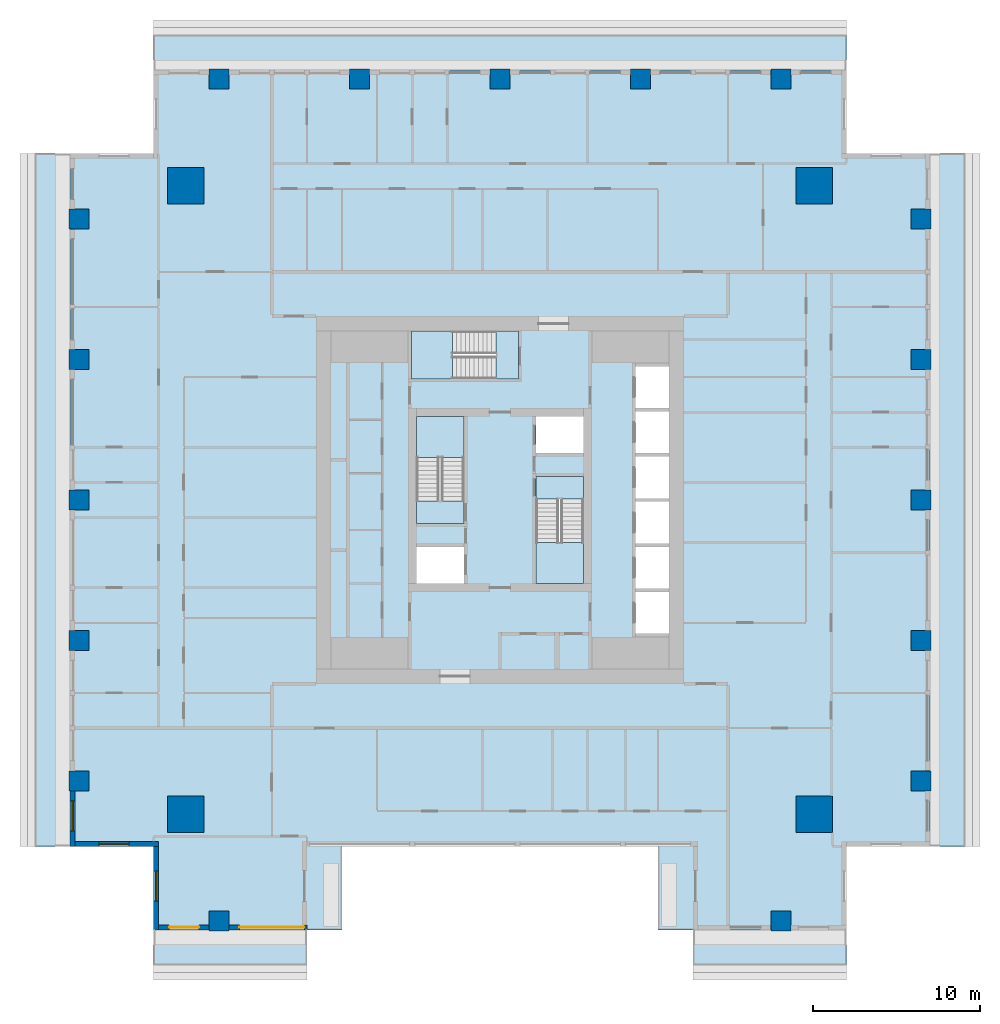
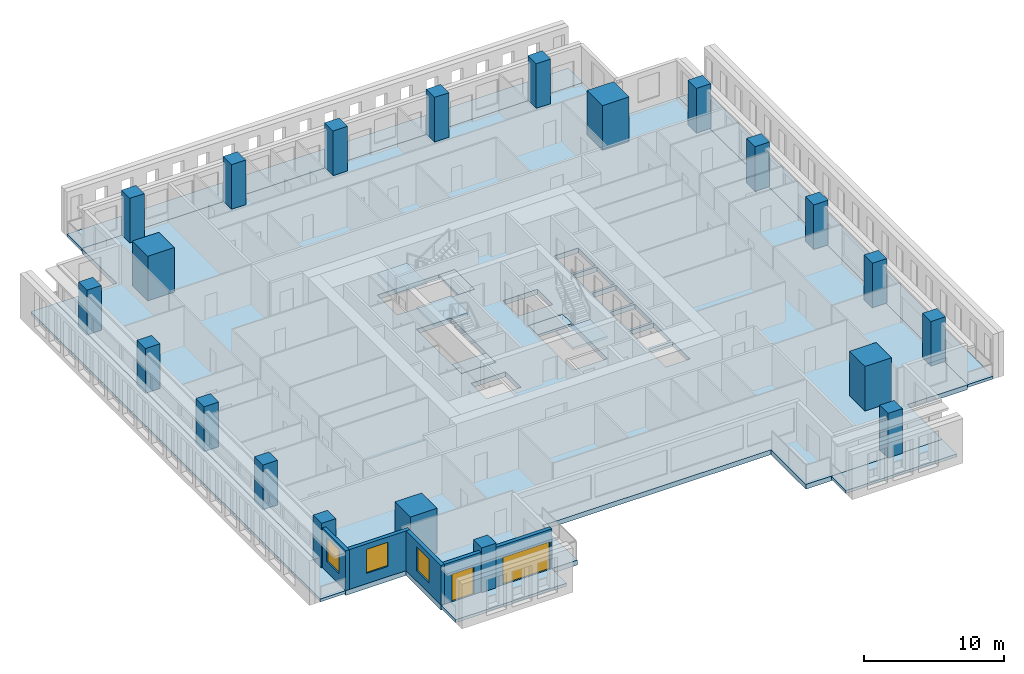
# One storey, part 1 of 14: 21 columns, 12 slabs, 5 walls, 3 windows, 2 doors, 5 openings, 3 elements without a shape of their own.
"""IFC4 building model written with IfcOpenShell, lengths in metres."""

from ifc_helpers import new_model, si_unit, direction, frame, frame_2d, origin, origin_2d, place, context, subcontext, project, spatial, polyline, rectangle, outline, extrude, material, layer, layer_set, material_profile, profile_set, type_object, element, fill, aggregate, save


model = new_model("IFC4")

# Units and contexts
model_context = context("Model", 3, precision=1e-05, world=origin(), true_north=direction((0.0, 1.0)))
body_context = subcontext(model_context, "Body", "Model", "MODEL_VIEW")
ifc_project = project(units=[si_unit("LENGTHUNIT", "METRE"), si_unit("AREAUNIT", "SQUARE_METRE"), si_unit("VOLUMEUNIT", "CUBIC_METRE"), si_unit("PLANEANGLEUNIT", "RADIAN"), si_unit("MASSUNIT", "GRAM", prefix="KILO")], contexts=[model_context])

# Site, building, storey
site_placement = place(None, origin())
site = spatial("IfcSite", under=ifc_project, at=site_placement, CompositionType="ELEMENT")
building_placement = place(site_placement, origin())
building = spatial("IfcBuilding", under=site, at=building_placement, Name="Khepri Terraces", CompositionType="ELEMENT")
storey_placement = place(building_placement, frame((0.0, 0.0, 271.800048828125)))
storey = spatial("IfcBuildingStorey", under=building, at=storey_placement, Name="L65", CompositionType="ELEMENT", Elevation=271.800048828125)

# Columns
ifc_material_1 = material(Name="Concrete C40/50", Category="concrete")
ifc_material_profile_1 = material_profile(ifc_material_1, rectangle(XDim=2.199951171875, YDim=2.199951171875, at=origin_2d()), Name="Concrete C40/50", Category="concrete")
ifc_profile_set_1 = profile_set([ifc_material_profile_1], Name="Concrete C40/50")
column_type_1 = type_object("IfcColumnType", Name="Mega column RC 2200x2200 C40/50", PredefinedType="COLUMN", material=ifc_profile_set_1)
for number, where, z_axis, x_axis, name in (
    (1, (18.800048828125, 18.800048828125, 0.0), (0.0, 0.0, 1.0), (1.0, 0.0, 0.0), "Mega column MEN L65"),
    (2, (18.800048828125, -18.800048828125, 0.0), (0.0, 0.0, 1.0), (1.0, 0.0, 0.0), "Mega column MES L65"),
    (3, (-18.800048828125, 18.800048828125, 0.0), (0.0, 0.0, 1.0), (1.0, 0.0, 0.0), "Mega column MWN L65"),
    (4, (-18.800048828125, -18.800048828125, 0.0), (0.0, 0.0, 1.0), (1.0, 0.0, 0.0), "Mega column MWS L65"),
):
    element("IfcColumn", number, at=place(storey_placement, frame(where, z_axis=z_axis, x_axis=x_axis)), inside=storey, type_object=column_type_1, Name=name, PredefinedType="COLUMN", context=body_context, shape_type="SweptSolid", body=[
        extrude(rectangle(XDim=2.199951171875, YDim=2.199951171875, at=origin_2d()), origin(), (0.0, 0.0, 1.0), 3.89990234375),
    ])
ifc_material_profile_2 = material_profile(ifc_material_1, rectangle(XDim=1.199951171875, YDim=1.199951171875, at=origin_2d()), Name="Concrete C40/50", Category="concrete")
ifc_profile_set_2 = profile_set([ifc_material_profile_2], Name="Concrete C40/50")
column_type_2 = type_object("IfcColumnType", Name="Tower column RC 1200x1200 C40/50", PredefinedType="COLUMN", material=ifc_profile_set_2)
for number, where, z_axis, x_axis, name in (
    (5, (25.199951171875, 0.0, 0.0), (0.0, 0.0, 1.0), (1.0, 0.0, 0.0), "Perimeter column PE+000b L65"),
    (6, (25.199951171875, 8.39990234375, 0.0), (0.0, 0.0, 1.0), (1.0, 0.0, 0.0), "Perimeter column PE+084b L65"),
    (7, (25.199951171875, 16.800048828125, 0.0), (0.0, 0.0, 1.0), (1.0, 0.0, 0.0), "Perimeter column PE+168a L65"),
    (8, (25.199951171875, -8.39990234375, 0.0), (0.0, 0.0, 1.0), (1.0, 0.0, 0.0), "Perimeter column PE-084b L65"),
    (9, (25.199951171875, -16.800048828125, 0.0), (0.0, 0.0, 1.0), (1.0, 0.0, 0.0), "Perimeter column PE-168a L65"),
    (10, (0.0, 25.199951171875, 0.0), (0.0, 0.0, 1.0), (1.0, 0.0, 0.0), "Perimeter column PN+000b L65"),
    (11, (-8.39990234375, 25.199951171875, 0.0), (0.0, 0.0, 1.0), (1.0, 0.0, 0.0), "Perimeter column PN+084b L65"),
    (12, (-16.800048828125, 25.199951171875, 0.0), (0.0, 0.0, 1.0), (1.0, 0.0, 0.0), "Perimeter column PN+168a L65"),
    (13, (8.39990234375, 25.199951171875, 0.0), (0.0, 0.0, 1.0), (1.0, 0.0, 0.0), "Perimeter column PN-084b L65"),
    (14, (16.800048828125, 25.199951171875, 0.0), (0.0, 0.0, 1.0), (1.0, 0.0, 0.0), "Perimeter column PN-168a L65"),
    (15, (16.800048828125, -25.199951171875, 0.0), (0.0, 0.0, 1.0), (1.0, 0.0, 0.0), "Perimeter column PS+168a L65"),
    (16, (-16.800048828125, -25.199951171875, 0.0), (0.0, 0.0, 1.0), (1.0, 0.0, 0.0), "Perimeter column PS-168a L65"),
    (17, (-25.199951171875, 0.0, 0.0), (0.0, 0.0, 1.0), (1.0, 0.0, 0.0), "Perimeter column PW+000b L65"),
    (18, (-25.199951171875, -8.39990234375, 0.0), (0.0, 0.0, 1.0), (1.0, 0.0, 0.0), "Perimeter column PW+084b L65"),
    (19, (-25.199951171875, -16.800048828125, 0.0), (0.0, 0.0, 1.0), (1.0, 0.0, 0.0), "Perimeter column PW+168a L65"),
    (20, (-25.199951171875, 8.39990234375, 0.0), (0.0, 0.0, 1.0), (1.0, 0.0, 0.0), "Perimeter column PW-084b L65"),
    (21, (-25.199951171875, 16.800048828125, 0.0), (0.0, 0.0, 1.0), (1.0, 0.0, 0.0), "Perimeter column PW-168a L65"),
):
    element("IfcColumn", number, at=place(storey_placement, frame(where, z_axis=z_axis, x_axis=x_axis)), inside=storey, type_object=column_type_2, Name=name, PredefinedType="COLUMN", context=body_context, shape_type="SweptSolid", body=[
        extrude(rectangle(XDim=1.199951171875, YDim=1.199951171875, at=origin_2d()), origin(), (0.0, 0.0, 1.0), 3.89990234375),
    ])

# Slabs
ifc_layer_1 = layer(ifc_material_1, 0.419921875, Name="Concrete C40/50", Category="concrete")
ifc_layer_set_1 = layer_set([ifc_layer_1], Name="Concrete C40/50")
slab_type_1 = type_object("IfcSlabType", Name="Flat plate 420", PredefinedType="FLOOR", material=ifc_layer_set_1)
slab_1_placement = place(storey_placement, frame((0.0, 0.0, -0.420166015625)))
element("IfcSlab", 22, at=slab_1_placement, inside=storey, type_object=slab_type_1, Name="Floor slab F01 L65", PredefinedType="FLOOR", context=body_context, shape_type="SweptSolid", body=[
    extrude(outline(polyline([(25.719970703125, -20.719970703125), (20.719970703125, -20.719970703125), (20.719970703125, -25.719970703125), (11.550048828125, -25.719970703125), (9.449951171875, -25.719970703125), (9.449951171875, -20.719970703125), (-9.449951171875, -20.719970703125), (-9.449951171875, -25.719970703125), (-11.550048828125, -25.719970703125), (-20.719970703125, -25.719970703125), (-20.719970703125, -20.719970703125), (-25.719970703125, -20.719970703125), (-25.719970703125, 20.719970703125), (-20.719970703125, 20.719970703125), (-20.719970703125, 25.719970703125), (20.719970703125, 25.719970703125), (20.719970703125, 20.719970703125), (25.719970703125, 20.719970703125), (25.719970703125, -20.719970703125)]), holes=[polyline([(2.14990234375, 2.800048828125), (5.0, 2.800048828125), (5.0, 5.0), (2.14990234375, 5.0), (2.14990234375, 2.800048828125)]), polyline([(-5.0, -2.800048828125), (-5.0, -5.0), (-2.14990234375, -5.0), (-2.14990234375, -2.800048828125), (-5.0, -2.800048828125)]), polyline([(10.10009765625, -5.5), (8.10009765625, -5.5), (8.10009765625, -8.0), (10.10009765625, -8.0), (10.10009765625, -5.5)]), polyline([(10.10009765625, -5.300048828125), (10.10009765625, -2.800048828125), (8.10009765625, -2.800048828125), (8.10009765625, -5.300048828125), (10.10009765625, -5.300048828125)]), polyline([(8.10009765625, -2.60009765625), (10.10009765625, -2.60009765625), (10.10009765625, -0.10009765625), (8.10009765625, -0.10009765625), (8.10009765625, -2.60009765625)]), polyline([(8.10009765625, 2.60009765625), (8.10009765625, 0.10009765625), (10.10009765625, 0.10009765625), (10.10009765625, 2.60009765625), (8.10009765625, 2.60009765625)]), polyline([(10.10009765625, 5.300048828125), (8.10009765625, 5.300048828125), (8.10009765625, 2.800048828125), (10.10009765625, 2.800048828125), (10.10009765625, 5.300048828125)]), polyline([(10.10009765625, 5.5), (10.10009765625, 8.0), (8.10009765625, 8.0), (8.10009765625, 5.5), (10.10009765625, 5.5)]), polyline([(-5.0, -1.39990234375), (-2.14990234375, -1.39990234375), (-2.14990234375, 5.0), (-5.0, 5.0), (-5.0, -1.39990234375)]), polyline([(5.0, -5.0), (5.0, 1.39990234375), (2.14990234375, 1.39990234375), (2.14990234375, -5.0), (5.0, -5.0)]), polyline([(-5.300048828125, 10.10009765625), (-5.300048828125, 7.25), (1.10009765625, 7.25), (1.10009765625, 10.10009765625), (-5.300048828125, 10.10009765625)])]), origin(), (0.0, 0.0, 1.0), 0.420166015625),
])
ifc_material_2 = material(Name="Precast concrete C50/60 warm stone", Category="masonry")
ifc_layer_2 = layer(ifc_material_2, 0.25, Name="Precast concrete C50/60 warm stone", Category="masonry")
ifc_layer_set_2 = layer_set([ifc_layer_2], Name="Precast concrete C50/60 warm stone")
slab_type_2 = type_object("IfcSlabType", Name="SLB-BALCONY-250", PredefinedType="FLOOR", material=ifc_layer_set_2)
slab_2_placement = place(storey_placement, frame((0.0, 0.0, -0.25)))
element("IfcSlab", 23, at=slab_2_placement, inside=storey, type_object=slab_type_2, Name="Balcony slab L65 S", PredefinedType="FLOOR", context=body_context, shape_type="SweptSolid", body=[
    extrude(outline(polyline([(-17.39990234375, -25.719970703125), (-20.719970703125, -25.719970703125), (-20.719970703125, -27.820068359375), (-11.550048828125, -27.820068359375), (-11.550048828125, -25.719970703125), (-16.199951171875, -25.719970703125), (-16.199951171875, -25.800048828125), (-17.39990234375, -25.800048828125), (-17.39990234375, -25.719970703125)])), origin(), (0.0, 0.0, 1.0), 0.25),
])
slab_3_placement = place(storey_placement, frame((0.0, 0.0, -0.25)))
element("IfcSlab", 24, at=slab_3_placement, inside=storey, type_object=slab_type_2, Name="Balcony slab L65 S", PredefinedType="FLOOR", context=body_context, shape_type="SweptSolid", body=[
    extrude(outline(polyline([(16.199951171875, -25.719970703125), (11.550048828125, -25.719970703125), (11.550048828125, -27.820068359375), (20.719970703125, -27.820068359375), (20.719970703125, -25.719970703125), (17.39990234375, -25.719970703125), (17.39990234375, -25.800048828125), (16.199951171875, -25.800048828125), (16.199951171875, -25.719970703125)])), origin(), (0.0, 0.0, 1.0), 0.25),
])
slab_4_placement = place(storey_placement, frame((0.0, 0.0, -0.25)))
element("IfcSlab", 25, at=slab_4_placement, inside=storey, type_object=slab_type_2, Name="Balcony slab L65 E", PredefinedType="FLOOR", context=body_context, shape_type="SweptSolid", body=[
    extrude(outline(polyline([(25.719970703125, -17.39990234375), (25.719970703125, -20.719970703125), (27.820068359375, -20.719970703125), (27.820068359375, 20.719970703125), (25.719970703125, 20.719970703125), (25.719970703125, 17.39990234375), (25.800048828125, 17.39990234375), (25.800048828125, 16.199951171875), (25.719970703125, 16.199951171875), (25.719970703125, 9.0), (25.800048828125, 9.0), (25.800048828125, 7.800048828125), (25.719970703125, 7.800048828125), (25.719970703125, 0.60009765625), (25.800048828125, 0.60009765625), (25.800048828125, -0.60009765625), (25.719970703125, -0.60009765625), (25.719970703125, -7.800048828125), (25.800048828125, -7.800048828125), (25.800048828125, -9.0), (25.719970703125, -9.0), (25.719970703125, -16.199951171875), (25.800048828125, -16.199951171875), (25.800048828125, -17.39990234375), (25.719970703125, -17.39990234375)])), origin(), (0.0, 0.0, 1.0), 0.25),
])
slab_5_placement = place(storey_placement, frame((0.0, 0.0, -0.25)))
element("IfcSlab", 26, at=slab_5_placement, inside=storey, type_object=slab_type_2, Name="Balcony slab L65 N", PredefinedType="FLOOR", context=body_context, shape_type="SweptSolid", body=[
    extrude(outline(polyline([(17.39990234375, 25.719970703125), (20.719970703125, 25.719970703125), (20.719970703125, 27.820068359375), (-20.719970703125, 27.820068359375), (-20.719970703125, 25.719970703125), (-17.39990234375, 25.719970703125), (-17.39990234375, 25.800048828125), (-16.199951171875, 25.800048828125), (-16.199951171875, 25.719970703125), (-9.0, 25.719970703125), (-9.0, 25.800048828125), (-7.800048828125, 25.800048828125), (-7.800048828125, 25.719970703125), (-0.60009765625, 25.719970703125), (-0.60009765625, 25.800048828125), (0.60009765625, 25.800048828125), (0.60009765625, 25.719970703125), (7.800048828125, 25.719970703125), (7.800048828125, 25.800048828125), (9.0, 25.800048828125), (9.0, 25.719970703125), (16.199951171875, 25.719970703125), (16.199951171875, 25.800048828125), (17.39990234375, 25.800048828125), (17.39990234375, 25.719970703125)])), origin(), (0.0, 0.0, 1.0), 0.25),
])
slab_6_placement = place(storey_placement, frame((0.0, 0.0, -0.25)))
element("IfcSlab", 27, at=slab_6_placement, inside=storey, type_object=slab_type_2, Name="Balcony slab L65 W", PredefinedType="FLOOR", context=body_context, shape_type="SweptSolid", body=[
    extrude(outline(polyline([(-25.719970703125, 17.39990234375), (-25.719970703125, 20.719970703125), (-27.820068359375, 20.719970703125), (-27.820068359375, -20.719970703125), (-25.719970703125, -20.719970703125), (-25.719970703125, -17.39990234375), (-25.800048828125, -17.39990234375), (-25.800048828125, -16.199951171875), (-25.719970703125, -16.199951171875), (-25.719970703125, -9.0), (-25.800048828125, -9.0), (-25.800048828125, -7.800048828125), (-25.719970703125, -7.800048828125), (-25.719970703125, -0.60009765625), (-25.800048828125, -0.60009765625), (-25.800048828125, 0.60009765625), (-25.719970703125, 0.60009765625), (-25.719970703125, 7.800048828125), (-25.800048828125, 7.800048828125), (-25.800048828125, 9.0), (-25.719970703125, 9.0), (-25.719970703125, 16.199951171875), (-25.800048828125, 16.199951171875), (-25.800048828125, 17.39990234375), (-25.719970703125, 17.39990234375)])), origin(), (0.0, 0.0, 1.0), 0.25),
])

# Stair, slabs
stair_type = type_object("IfcStairType", Name="STAIR-RC-22R", PredefinedType="HALF_TURN_STAIR", material=ifc_material_1)
stair_1_placement = place(storey_placement, origin())
stair_1 = element("IfcStair", 28, at=stair_1_placement, inside=storey, type_object=stair_type, Name="L65 Exit Stair ST-1", PredefinedType="HALF_TURN_STAIR")
ifc_layer_3 = layer(ifc_material_1, 0.199951171875, Name="Concrete C40/50", Category="concrete")
ifc_layer_set_3 = layer_set([ifc_layer_3], Name="Concrete C40/50")
slab_type_3 = type_object("IfcSlabType", Name="SLB-CORE-LANDING", PredefinedType="LANDING", material=ifc_layer_set_3)
slab_7_placement = place(storey_placement, frame((0.0, 0.0, -0.199951171875)))
slab_7 = element("IfcSlab", 29, at=slab_7_placement, type_object=slab_type_3, Name="ST-1 landing 1", PredefinedType="LANDING", context=body_context, shape_type="SweptSolid", body=[
    extrude(outline(polyline([(-2.14990234375, -1.39990234375), (-2.14990234375, -0.050048828125), (-5.0, -0.050048828125), (-5.0, -1.39990234375), (-2.14990234375, -1.39990234375)])), origin(), (0.0, 0.0, 1.0), 0.199951171875),
])
slab_8_placement = place(storey_placement, frame((0.0, 0.0, 1.75)))
slab_8 = element("IfcSlab", 30, at=slab_8_placement, type_object=slab_type_3, Name="ST-1 landing 2", PredefinedType="LANDING", context=body_context, shape_type="SweptSolid", body=[
    extrude(outline(polyline([(-2.14990234375, 2.550048828125), (-2.14990234375, 5.0), (-5.0, 5.0), (-5.0, 2.550048828125), (-2.14990234375, 2.550048828125)])), origin(), (0.0, 0.0, 1.0), 0.199951171875),
])
aggregate(stair_1, [slab_7, slab_8])

stair_2_placement = place(storey_placement, origin())
stair_2 = element("IfcStair", 31, at=stair_2_placement, inside=storey, type_object=stair_type, Name="L65 Exit Stair ST-2", PredefinedType="HALF_TURN_STAIR")
slab_9_placement = place(storey_placement, frame((0.0, 0.0, -0.199951171875)))
slab_9 = element("IfcSlab", 32, at=slab_9_placement, type_object=slab_type_3, Name="ST-2 landing 1", PredefinedType="LANDING", context=body_context, shape_type="SweptSolid", body=[
    extrude(outline(polyline([(2.14990234375, 1.39990234375), (2.14990234375, 0.050048828125), (5.0, 0.050048828125), (5.0, 1.39990234375), (2.14990234375, 1.39990234375)])), origin(), (0.0, 0.0, 1.0), 0.199951171875),
])
slab_10_placement = place(storey_placement, frame((0.0, 0.0, 1.75)))
slab_10 = element("IfcSlab", 33, at=slab_10_placement, type_object=slab_type_3, Name="ST-2 landing 2", PredefinedType="LANDING", context=body_context, shape_type="SweptSolid", body=[
    extrude(outline(polyline([(2.14990234375, -2.550048828125), (2.14990234375, -5.0), (5.0, -5.0), (5.0, -2.550048828125), (2.14990234375, -2.550048828125)])), origin(), (0.0, 0.0, 1.0), 0.199951171875),
])
aggregate(stair_2, [slab_9, slab_10])

stair_3_placement = place(storey_placement, origin())
stair_3 = element("IfcStair", 34, at=stair_3_placement, inside=storey, type_object=stair_type, Name="L65 Exit Stair ST-3", PredefinedType="HALF_TURN_STAIR")
slab_11_placement = place(storey_placement, frame((0.0, 0.0, -0.199951171875)))
slab_11 = element("IfcSlab", 35, at=slab_11_placement, type_object=slab_type_3, Name="ST-3 landing 1", PredefinedType="LANDING", context=body_context, shape_type="SweptSolid", body=[
    extrude(outline(polyline([(1.10009765625, 10.10009765625), (-0.25, 10.10009765625), (-0.25, 7.25), (1.10009765625, 7.25), (1.10009765625, 10.10009765625)])), origin(), (0.0, 0.0, 1.0), 0.199951171875),
])
slab_12_placement = place(storey_placement, frame((0.0, 0.0, 1.75)))
slab_12 = element("IfcSlab", 36, at=slab_12_placement, type_object=slab_type_3, Name="ST-3 landing 2", PredefinedType="LANDING", context=body_context, shape_type="SweptSolid", body=[
    extrude(outline(polyline([(-2.85009765625, 10.10009765625), (-5.300048828125, 10.10009765625), (-5.300048828125, 7.25), (-2.85009765625, 7.25), (-2.85009765625, 10.10009765625)])), origin(), (0.0, 0.0, 1.0), 0.199951171875),
])
aggregate(stair_3, [slab_11, slab_12])

# Wall, opening, window
ifc_layer_4 = layer(ifc_material_2, 0.300048828125, Name="Precast concrete C50/60 warm stone", Category="masonry")
ifc_layer_set_4 = layer_set([ifc_layer_4], Name="Precast concrete C50/60 warm stone")
wall_type = type_object("IfcWallType", Name="WL-EXT-PRECAST-300", PredefinedType="STANDARD", material=ifc_layer_set_4)
wall_1_placement = place(storey_placement, frame((-25.570068359375, -17.39990234375, 0.0), z_axis=(0.0, 0.0, 1.0), x_axis=(0.0, -1.0, 0.0)))
wall_1 = element("IfcWall", 37, at=wall_1_placement, inside=storey, type_object=wall_type, Name="External wall L65 W", PredefinedType="STANDARD", context=body_context, shape_type="SweptSolid", body=[
    extrude(rectangle(XDim=3.320068359375, YDim=0.300048828125, at=frame_2d((1.66015625, 0.0))), origin(), (0.0, 0.0, 1.0), 3.47998046875),
])
opening_1_placement = place(wall_1_placement, frame((0.60009765625, 0.0, 0.89990234375)))
opening_1 = element("IfcOpeningElement", 38, at=opening_1_placement, cuts=wall_1, Name="Opening W1", PredefinedType="OPENING", context=body_context, shape_type="SweptSolid", body=[
    extrude(rectangle(XDim=1.800048828125, YDim=2.10009765625, at=frame_2d((0.89990234375, 1.050048828125))), frame((0.0, 0.16015625, 0.0), z_axis=(0.0, -1.0, 0.0), x_axis=(1.0, 0.0, 0.0)), (0.0, 0.0, 1.0), 0.320068359375),
])
ifc_material_3 = material(Name="Clear glass", Category="glass")
window_type = type_object("IfcWindowType", Name="WIN-RES-1800x2100", PartitioningType="SINGLE_PANEL", PredefinedType="WINDOW", material=ifc_material_3)
window_1_placement = place(opening_1_placement, origin())
window_1 = element("IfcWindow", 39, at=window_1_placement, inside=storey, type_object=window_type, Name="Window L65 W", OverallHeight=2.10009765625, OverallWidth=1.800048828125, PartitioningType="SINGLE_PANEL", PredefinedType="WINDOW", context=body_context, shape_type="SweptSolid", body=[
    extrude(rectangle(XDim=1.800048828125, YDim=2.10009765625, at=frame_2d((0.89990234375, 1.050048828125))), frame((0.0, 0.030029296875, 0.0), z_axis=(0.0, -1.0, 0.0), x_axis=(1.0, 0.0, 0.0)), (0.0, 0.0, 1.0), 0.06005859375),
])
fill(opening_1, window_1)

wall_2_placement = place(storey_placement, frame((-25.419921875, -20.570068359375, 0.0), z_axis=(0.0, 0.0, 1.0), x_axis=(1.0, 0.0, 0.0)))
wall_2 = element("IfcWall", 40, at=wall_2_placement, inside=storey, type_object=wall_type, Name="External wall L65 S", PredefinedType="STANDARD", context=body_context, shape_type="SweptSolid", body=[
    extrude(rectangle(XDim=5.0, YDim=0.300048828125, at=frame_2d((2.5, 0.0))), origin(), (0.0, 0.0, 1.0), 3.47998046875),
])
opening_2_placement = place(wall_2_placement, frame((1.419921875, 0.0, 0.89990234375)))
opening_2 = element("IfcOpeningElement", 41, at=opening_2_placement, cuts=wall_2, Name="Opening W1", PredefinedType="OPENING", context=body_context, shape_type="SweptSolid", body=[
    extrude(rectangle(XDim=1.800048828125, YDim=2.10009765625, at=frame_2d((0.89990234375, 1.050048828125))), frame((0.0, 0.16015625, 0.0), z_axis=(0.0, -1.0, 0.0), x_axis=(1.0, 0.0, 0.0)), (0.0, 0.0, 1.0), 0.320068359375),
])
window_2_placement = place(opening_2_placement, origin())
window_2 = element("IfcWindow", 42, at=window_2_placement, inside=storey, type_object=window_type, Name="Window L65 S", OverallHeight=2.10009765625, OverallWidth=1.800048828125, PartitioningType="SINGLE_PANEL", PredefinedType="WINDOW", context=body_context, shape_type="SweptSolid", body=[
    extrude(rectangle(XDim=1.800048828125, YDim=2.10009765625, at=frame_2d((0.89990234375, 1.050048828125))), frame((0.0, 0.030029296875, 0.0), z_axis=(0.0, -1.0, 0.0), x_axis=(1.0, 0.0, 0.0)), (0.0, 0.0, 1.0), 0.06005859375),
])
fill(opening_2, window_2)

wall_3_placement = place(storey_placement, frame((-20.570068359375, -20.719970703125, 0.0), z_axis=(0.0, 0.0, 1.0), x_axis=(0.0, -1.0, 0.0)))
wall_3 = element("IfcWall", 43, at=wall_3_placement, inside=storey, type_object=wall_type, Name="External wall L65 W", PredefinedType="STANDARD", context=body_context, shape_type="SweptSolid", body=[
    extrude(rectangle(XDim=5.0, YDim=0.300048828125, at=frame_2d((2.5, 0.0))), origin(), (0.0, 0.0, 1.0), 3.47998046875),
])
opening_3_placement = place(wall_3_placement, frame((1.47998046875, 0.0, 0.89990234375)))
opening_3 = element("IfcOpeningElement", 44, at=opening_3_placement, cuts=wall_3, Name="Opening W1", PredefinedType="OPENING", context=body_context, shape_type="SweptSolid", body=[
    extrude(rectangle(XDim=1.800048828125, YDim=2.10009765625, at=frame_2d((0.89990234375, 1.050048828125))), frame((0.0, 0.16015625, 0.0), z_axis=(0.0, -1.0, 0.0), x_axis=(1.0, 0.0, 0.0)), (0.0, 0.0, 1.0), 0.320068359375),
])
window_3_placement = place(opening_3_placement, origin())
window_3 = element("IfcWindow", 45, at=window_3_placement, inside=storey, type_object=window_type, Name="Window L65 W", OverallHeight=2.10009765625, OverallWidth=1.800048828125, PartitioningType="SINGLE_PANEL", PredefinedType="WINDOW", context=body_context, shape_type="SweptSolid", body=[
    extrude(rectangle(XDim=1.800048828125, YDim=2.10009765625, at=frame_2d((0.89990234375, 1.050048828125))), frame((0.0, 0.030029296875, 0.0), z_axis=(0.0, -1.0, 0.0), x_axis=(1.0, 0.0, 0.0)), (0.0, 0.0, 1.0), 0.06005859375),
])
fill(opening_3, window_3)

# Wall, opening, door
wall_4_placement = place(storey_placement, frame((-20.419921875, -25.570068359375, 0.0), z_axis=(0.0, 0.0, 1.0), x_axis=(1.0, 0.0, 0.0)))
wall_4 = element("IfcWall", 46, at=wall_4_placement, inside=storey, type_object=wall_type, Name="External wall L65 S", PredefinedType="STANDARD", context=body_context, shape_type="SweptSolid", body=[
    extrude(rectangle(XDim=3.02001953125, YDim=0.300048828125, at=frame_2d((1.510009765625, 0.0))), origin(), (0.0, 0.0, 1.0), 3.47998046875),
])
opening_4_placement = place(wall_4_placement, frame((0.6201171875, 0.0, 0.0)))
opening_4 = element("IfcOpeningElement", 47, at=opening_4_placement, cuts=wall_4, Name="Opening ED-L65-15", PredefinedType="OPENING", context=body_context, shape_type="SweptSolid", body=[
    extrude(rectangle(XDim=1.800048828125, YDim=2.39990234375, at=frame_2d((0.89990234375, 1.199951171875))), frame((0.0, 0.16015625, 0.0), z_axis=(0.0, -1.0, 0.0), x_axis=(1.0, 0.0, 0.0)), (0.0, 0.0, 1.0), 0.320068359375),
])
ifc_material_4 = material(Name="Anodised aluminium bronze glazed door", Category="aluminium")
door_type_1 = type_object("IfcDoorType", Name="DR-BAL-SLIDE-1800x2400", OperationType="NOTDEFINED", PredefinedType="DOOR", material=ifc_material_4)
door_1_placement = place(opening_4_placement, origin())
door_1 = element("IfcDoor", 48, at=door_1_placement, inside=storey, type_object=door_type_1, Name="Balcony door L65 S", OperationType="SLIDING_TO_RIGHT", OverallHeight=2.39990234375, OverallWidth=1.800048828125, PredefinedType="DOOR", context=body_context, shape_type="SweptSolid", body=[
    extrude(rectangle(XDim=1.800048828125, YDim=2.39990234375, at=frame_2d((0.89990234375, 1.199951171875))), frame((0.0, 0.02490234375, 0.0), z_axis=(0.0, -1.0, 0.0), x_axis=(1.0, 0.0, 0.0)), (0.0, 0.0, 1.0), 0.050048828125),
])
fill(opening_4, door_1)

wall_5_placement = place(storey_placement, frame((-16.199951171875, -25.570068359375, 0.0), z_axis=(0.0, 0.0, 1.0), x_axis=(1.0, 0.0, 0.0)))
wall_5 = element("IfcWall", 49, at=wall_5_placement, inside=storey, type_object=wall_type, Name="External wall L65 S", PredefinedType="STANDARD", context=body_context, shape_type="SweptSolid", body=[
    extrude(rectangle(XDim=4.64990234375, YDim=0.300048828125, at=frame_2d((2.324951171875, 0.0))), origin(), (0.0, 0.0, 1.0), 3.47998046875),
])
opening_5_placement = place(wall_5_placement, frame((0.60009765625, 0.0, 0.0)))
opening_5 = element("IfcOpeningElement", 50, at=opening_5_placement, cuts=wall_5, Name="Opening ED-L65-16", PredefinedType="OPENING", context=body_context, shape_type="SweptSolid", body=[
    extrude(rectangle(XDim=3.89990234375, YDim=2.39990234375, at=frame_2d((1.949951171875, 1.199951171875))), frame((0.0, 0.16015625, 0.0), z_axis=(0.0, -1.0, 0.0), x_axis=(1.0, 0.0, 0.0)), (0.0, 0.0, 1.0), 0.320068359375),
])
door_type_2 = type_object("IfcDoorType", Name="DR-BAL-SLIDE-3900x2400", OperationType="NOTDEFINED", PredefinedType="DOOR", material=ifc_material_4)
door_2_placement = place(opening_5_placement, origin())
door_2 = element("IfcDoor", 51, at=door_2_placement, inside=storey, type_object=door_type_2, Name="Balcony door L65 S", OperationType="SLIDING_TO_LEFT", OverallHeight=2.39990234375, OverallWidth=3.89990234375, PredefinedType="DOOR", context=body_context, shape_type="SweptSolid", body=[
    extrude(rectangle(XDim=3.89990234375, YDim=2.39990234375, at=frame_2d((1.949951171875, 1.199951171875))), frame((0.0, 0.02490234375, 0.0), z_axis=(0.0, -1.0, 0.0), x_axis=(1.0, 0.0, 0.0)), (0.0, 0.0, 1.0), 0.050048828125),
])
fill(opening_5, door_2)

save(model, "model.ifc")
